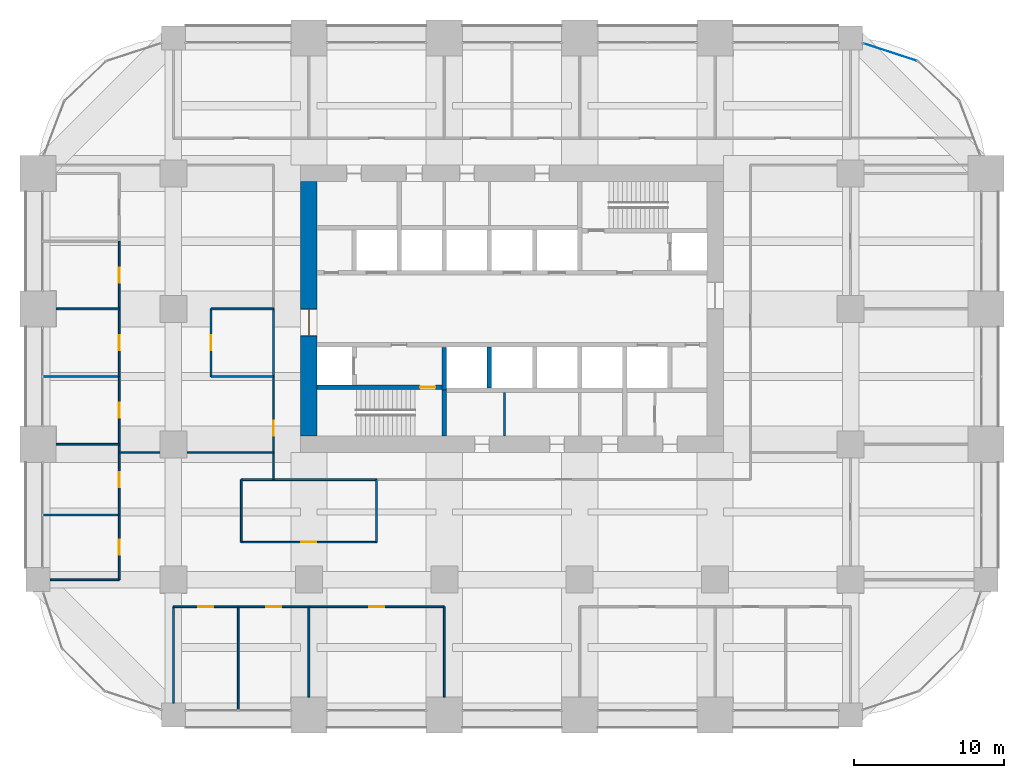
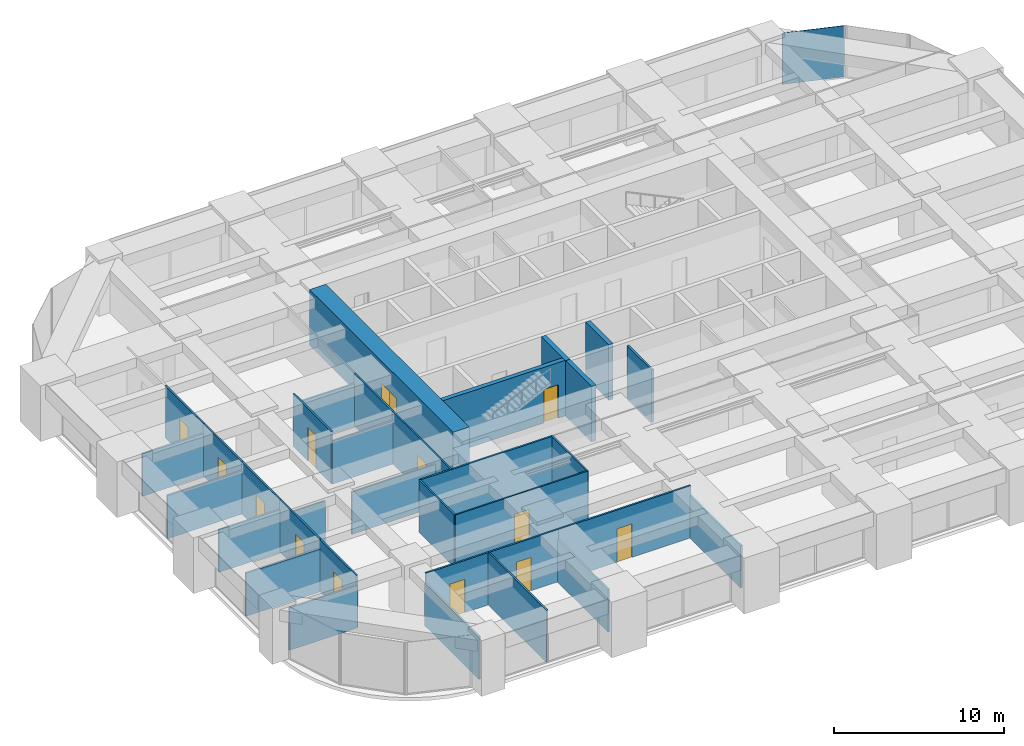
# One storey, part 38 of 43: 34 walls, 13 doors, 1 plate, 13 openings, 1 element without a shape of its own.
"""IFC4 building model written with IfcOpenShell, lengths in metres."""

from ifc_helpers import new_model, si_unit, direction, frame, frame_2d, origin, origin_2d, place, context, subcontext, project, spatial, rectangle, extrude, material, layer, layer_set, type_object, element, fill, aggregate, save


model = new_model("IFC4")

# Units and contexts
model_context = context("Model", 3, precision=1e-05, world=origin(), true_north=direction((0.0, 1.0)))
body_context = subcontext(model_context, "Body", "Model", "MODEL_VIEW")
ifc_project = project(units=[si_unit("LENGTHUNIT", "METRE"), si_unit("AREAUNIT", "SQUARE_METRE"), si_unit("VOLUMEUNIT", "CUBIC_METRE"), si_unit("PLANEANGLEUNIT", "RADIAN"), si_unit("MASSUNIT", "GRAM", prefix="KILO")], contexts=[model_context])

# Site, building, storey
site_placement = place(None, origin())
site = spatial("IfcSite", under=ifc_project, at=site_placement, CompositionType="ELEMENT")
building_placement = place(site_placement, origin())
building = spatial("IfcBuilding", under=site, at=building_placement, Name="Zorevar Civic Tower", CompositionType="ELEMENT")
storey_placement = place(building_placement, frame((0.0, 0.0, 145.0)))
storey = spatial("IfcBuildingStorey", under=building, at=storey_placement, Name="L35", CompositionType="ELEMENT", Elevation=145.0)

# Curtain wall, plate
ifc_material_1 = material(Name="Dark grey solar-control glass in black aluminium frame", Category="aluminium")
curtain_wall_type = type_object("IfcCurtainWallType", Name="Curtain wall CW3 mid zone", PredefinedType="NOTDEFINED", material=ifc_material_1)
curtain_wall_placement = place(storey_placement, origin())
curtain_wall = element("IfcCurtainWall", 1, at=curtain_wall_placement, inside=storey, type_object=curtain_wall_type, Name="CW3 L35", PredefinedType="NOTDEFINED")
ifc_material_2 = material(Name="Dark grey solar-control glass", Category="glass")
ifc_layer_1 = layer(ifc_material_2, 0.030029296875)
ifc_layer_set_1 = layer_set([ifc_layer_1], Name="CW3 panel 30")
plate_type = type_object("IfcPlateType", Name="CW3 panel 30", PredefinedType="CURTAIN_PANEL", material=ifc_layer_set_1)
plate_placement = place(storey_placement, frame((56.63232421875, 44.065185546875, 0.06005859375), z_axis=(0.0, 0.0, 1.0), x_axis=(-0.950650706548, 0.310263169163, 0.0)))
plate = element("IfcPlate", 2, at=plate_placement, type_object=plate_type, Name="CW3 panel 1.1", PredefinedType="CURTAIN_PANEL", context=body_context, shape_type="SweptSolid", body=[
    extrude(rectangle(XDim=3.734619140625, YDim=0.030029296875, at=origin_2d()), origin(), (0.0, 0.0, 1.0), 3.68994140625),
])
aggregate(curtain_wall, [plate])

# Wall, opening, door
ifc_material_3 = material(Name="Concrete C50/60", Category="concrete")
ifc_layer_2 = layer(ifc_material_3, 1.10009765625)
ifc_layer_set_2 = layer_set([ifc_layer_2], Name="Core wall 1100")
wall_type_1 = type_object("IfcWallType", Name="Core wall 1100", PredefinedType="SHEAR", material=ifc_layer_set_2)
wall_1_placement = place(storey_placement, frame((18.0, 35.449951171875, 0.0), z_axis=(0.0, 0.0, 1.0), x_axis=(0.0, -1.0, 0.0)))
wall_1 = element("IfcWall", 3, at=wall_1_placement, inside=storey, type_object=wall_type_1, Name="Core wall W L35", PredefinedType="SHEAR", context=body_context, shape_type="SweptSolid", body=[
    extrude(rectangle(XDim=16.89990234375, YDim=1.10009765625, at=frame_2d((8.449951171875, 0.0))), origin(), (0.0, 0.0, 1.0), 4.0),
])
opening_1_placement = place(wall_1_placement, frame((8.449951171875, 0.0, 0.0)))
opening_1 = element("IfcOpeningElement", 4, at=opening_1_placement, cuts=wall_1, Name="Opening L35.01", PredefinedType="OPENING", context=body_context, shape_type="SweptSolid", body=[
    extrude(rectangle(XDim=1.800048828125, YDim=2.39990234375, at=frame_2d((0.89990234375, 1.199951171875))), frame((0.0, 0.56005859375, 0.0), z_axis=(0.0, -1.0, 0.0), x_axis=(1.0, 0.0, 0.0)), (0.0, 0.0, 1.0), 1.1201171875),
])
ifc_material_4 = material(Name="Steel door set", Category="steel")
door_type_1 = type_object("IfcDoorType", Name="Fire door FD2 1800x2400", OperationType="DOUBLE_DOOR_DOUBLE_SWING", PredefinedType="DOOR", material=ifc_material_4)
door_1_placement = place(opening_1_placement, origin())
door_1 = element("IfcDoor", 5, at=door_1_placement, inside=storey, type_object=door_type_1, Name="Door L35 00", OperationType="DOUBLE_DOOR_DOUBLE_SWING", OverallHeight=2.39990234375, OverallWidth=1.800048828125, PredefinedType="DOOR", context=body_context, shape_type="SweptSolid", body=[
    extrude(rectangle(XDim=1.800048828125, YDim=2.39990234375, at=frame_2d((0.89990234375, 1.199951171875))), frame((0.0, 0.030029296875, 0.0), z_axis=(0.0, -1.0, 0.0), x_axis=(1.0, 0.0, 0.0)), (0.0, 0.0, 1.0), 0.06005859375),
    extrude(rectangle(XDim=0.04, YDim=2.39990234375, at=frame_2d((0.02001953125, 1.199951171875))), frame((0.0, 0.5498046875, 0.0), z_axis=(0.0, -1.0, 0.0), x_axis=(1.0, 0.0, 0.0)), (0.0, 0.0, 1.0), 1.099609375),
    extrude(rectangle(XDim=0.04, YDim=2.39990234375, at=frame_2d((1.780029296875, 1.199951171875))), frame((0.0, 0.5498046875, 0.0), z_axis=(0.0, -1.0, 0.0), x_axis=(1.0, 0.0, 0.0)), (0.0, 0.0, 1.0), 1.099609375),
    extrude(rectangle(XDim=1.800048828125, YDim=0.04, at=frame_2d((0.89990234375, 2.3798828125))), frame((0.0, 0.5498046875, 0.0), z_axis=(0.0, -1.0, 0.0), x_axis=(1.0, 0.0, 0.0)), (0.0, 0.0, 1.0), 1.099609375),
])
fill(opening_1, door_1)

ifc_material_5 = material(Name="Laminated glass in black aluminium frame", Category="aluminium")
ifc_layer_3 = layer(ifc_material_5, 0.10009765625)
ifc_layer_set_3 = layer_set([ifc_layer_3], Name="Glazed partition 100")
wall_type_2 = type_object("IfcWallType", Name="Glazed partition 100", PredefinedType="PARTITIONING", material=ifc_layer_set_3)
wall_2_placement = place(storey_placement, frame((13.5, 11.5, 0.0), z_axis=(0.0, 0.0, 1.0), x_axis=(1.0, 0.0, 0.0)))
wall_2 = element("IfcWall", 6, at=wall_2_placement, inside=storey, type_object=wall_type_2, Name="Glazed partition 100 L35", PredefinedType="PARTITIONING", context=body_context, shape_type="SweptSolid", body=[
    extrude(rectangle(XDim=9.0, YDim=0.10009765625, at=frame_2d((4.5, 0.0))), origin(), (0.0, 0.0, 1.0), 3.75),
])
opening_2_placement = place(wall_2_placement, frame((4.0, 0.0, 0.0)))
opening_2 = element("IfcOpeningElement", 7, at=opening_2_placement, cuts=wall_2, Name="Opening L35.23", PredefinedType="OPENING", context=body_context, shape_type="SweptSolid", body=[
    extrude(rectangle(XDim=1.0, YDim=2.39990234375, at=frame_2d((0.5, 1.199951171875))), frame((0.0, 0.06005859375, 0.0), z_axis=(0.0, -1.0, 0.0), x_axis=(1.0, 0.0, 0.0)), (0.0, 0.0, 1.0), 0.1201171875),
])
ifc_material_6 = material(Name="Timber door set", Category="wood")
door_type_2 = type_object("IfcDoorType", Name="Glazed door GD1 1000x2400", OperationType="SINGLE_SWING_LEFT", PredefinedType="DOOR", material=ifc_material_6)
door_2_placement = place(opening_2_placement, origin())
door_2 = element("IfcDoor", 8, at=door_2_placement, inside=storey, type_object=door_type_2, Name="Door L35 D1", OperationType="SINGLE_SWING_LEFT", OverallHeight=2.39990234375, OverallWidth=1.0, PredefinedType="DOOR", context=body_context, shape_type="SweptSolid", body=[
    extrude(rectangle(XDim=1.0, YDim=2.39990234375, at=frame_2d((0.5, 1.199951171875))), frame((0.0, 0.02001953125, 0.0), z_axis=(0.0, -1.0, 0.0), x_axis=(1.0, 0.0, 0.0)), (0.0, 0.0, 1.0), 0.0400390625),
])
fill(opening_2, door_2)

# Walls
wall_3_placement = place(storey_placement, frame((5.389892578125, 17.449951171875, 0.0), z_axis=(0.0, 0.0, 1.0), x_axis=(1.0, 0.0, 0.0)))
element("IfcWall", 9, at=wall_3_placement, inside=storey, type_object=wall_type_2, Name="Glazed partition 100 L35", PredefinedType="PARTITIONING", context=body_context, shape_type="SweptSolid", body=[
    extrude(rectangle(XDim=2.710205078125, YDim=0.10009765625, at=frame_2d((1.35498046875, 0.0))), origin(), (0.0, 0.0, 1.0), 3.050048828125),
])
wall_4_placement = place(storey_placement, frame((9.89990234375, 17.449951171875, 0.0), z_axis=(0.0, 0.0, 1.0), x_axis=(1.0, 0.0, 0.0)))
element("IfcWall", 10, at=wall_4_placement, inside=storey, type_object=wall_type_2, Name="Glazed partition 100 L35", PredefinedType="PARTITIONING", context=body_context, shape_type="SweptSolid", body=[
    extrude(rectangle(XDim=5.75, YDim=0.10009765625, at=frame_2d((2.875, 0.0))), origin(), (0.0, 0.0, 1.0), 3.050048828125),
])

# Wall, opening, door
wall_5_placement = place(storey_placement, frame((15.64990234375, 15.64990234375, 0.0), z_axis=(0.0, 0.0, 1.0), x_axis=(0.0, 1.0, 0.0)))
wall_5 = element("IfcWall", 11, at=wall_5_placement, inside=storey, type_object=wall_type_2, Name="Glazed partition 100 L35", PredefinedType="PARTITIONING", context=body_context, shape_type="SweptSolid", body=[
    extrude(rectangle(XDim=6.85009765625, YDim=0.10009765625, at=frame_2d((3.425048828125, 0.0))), origin(), (0.0, 0.0, 1.0), 3.75),
])
opening_3_placement = place(wall_5_placement, frame((2.925048828125, 0.0, 0.0)))
opening_3 = element("IfcOpeningElement", 12, at=opening_3_placement, cuts=wall_5, Name="Opening L35.39", PredefinedType="OPENING", context=body_context, shape_type="SweptSolid", body=[
    extrude(rectangle(XDim=1.0, YDim=2.39990234375, at=frame_2d((0.5, 1.199951171875))), frame((0.0, 0.06005859375, 0.0), z_axis=(0.0, -1.0, 0.0), x_axis=(1.0, 0.0, 0.0)), (0.0, 0.0, 1.0), 0.1201171875),
])
door_3_placement = place(opening_3_placement, origin())
door_3 = element("IfcDoor", 13, at=door_3_placement, inside=storey, type_object=door_type_2, Name="Door L35 D1", OperationType="SINGLE_SWING_RIGHT", OverallHeight=2.39990234375, OverallWidth=1.0, PredefinedType="DOOR", context=body_context, shape_type="SweptSolid", body=[
    extrude(rectangle(XDim=1.0, YDim=2.39990234375, at=frame_2d((0.5, 1.199951171875))), frame((0.0, 0.02001953125, 0.0), z_axis=(0.0, -1.0, 0.0), x_axis=(1.0, 0.0, 0.0)), (0.0, 0.0, 1.0), 0.0400390625),
])
fill(opening_3, door_3)

ifc_material_7 = material(Name="Concrete C40/50", Category="concrete")
ifc_layer_4 = layer(ifc_material_7, 0.300048828125)
ifc_layer_set_4 = layer_set([ifc_layer_4], Name="Inner core wall 300")
wall_type_3 = type_object("IfcWallType", Name="Inner core wall 300", PredefinedType="SHEAR", material=ifc_layer_set_4)
wall_6_placement = place(storey_placement, frame((18.550048828125, 21.800048828125, 0.0), z_axis=(0.0, 0.0, 1.0), x_axis=(1.0, 0.0, 0.0)))
wall_6 = element("IfcWall", 14, at=wall_6_placement, inside=storey, type_object=wall_type_3, Name="Inner core wall S00 L35", PredefinedType="SHEAR", context=body_context, shape_type="SweptSolid", body=[
    extrude(rectangle(XDim=8.300048828125, YDim=0.300048828125, at=frame_2d((4.14990234375, 0.0))), origin(), (0.0, 0.0, 1.0), 4.0),
])
opening_4_placement = place(wall_6_placement, frame((6.85009765625, 0.0, 0.0)))
opening_4 = element("IfcOpeningElement", 15, at=opening_4_placement, cuts=wall_6, Name="Opening L35.11", PredefinedType="OPENING", context=body_context, shape_type="SweptSolid", body=[
    extrude(rectangle(XDim=1.0, YDim=2.39990234375, at=frame_2d((0.5, 1.199951171875))), frame((0.0, 0.159912109375, 0.0), z_axis=(0.0, -1.0, 0.0), x_axis=(1.0, 0.0, 0.0)), (0.0, 0.0, 1.0), 0.320068359375),
])
ifc_material_8 = material(Name="Steel door set", Category="steel")
door_type_3 = type_object("IfcDoorType", Name="Fire door FD1 1000x2400", OperationType="SINGLE_SWING_LEFT", PredefinedType="DOOR", material=ifc_material_8)
door_4_placement = place(opening_4_placement, origin())
door_4 = element("IfcDoor", 16, at=door_4_placement, inside=storey, type_object=door_type_3, Name="Door L35 10", OperationType="SINGLE_SWING_RIGHT", OverallHeight=2.39990234375, OverallWidth=1.0, PredefinedType="DOOR", context=body_context, shape_type="SweptSolid", body=[
    extrude(rectangle(XDim=1.0, YDim=2.39990234375, at=frame_2d((0.5, 1.199951171875))), frame((0.0, 0.030029296875, 0.0), z_axis=(0.0, -1.0, 0.0), x_axis=(1.0, 0.0, 0.0)), (0.0, 0.0, 1.0), 0.06005859375),
])
fill(opening_4, door_4)

# Walls
wall_7_placement = place(storey_placement, frame((27.0, 18.550048828125, 0.0), z_axis=(0.0, 0.0, 1.0), x_axis=(0.0, 1.0, 0.0)))
element("IfcWall", 17, at=wall_7_placement, inside=storey, type_object=wall_type_3, Name="Inner core wall S01 L35", PredefinedType="SHEAR", context=body_context, shape_type="SweptSolid", body=[
    extrude(rectangle(XDim=3.050048828125, YDim=0.300048828125, at=frame_2d((1.52490234375, 0.0))), origin(), (0.0, 0.0, 1.0), 4.0),
])
wall_8_placement = place(storey_placement, frame((30.0, 21.75, 0.0), z_axis=(0.0, 0.0, 1.0), x_axis=(0.0, 1.0, 0.0)))
element("IfcWall", 18, at=wall_8_placement, inside=storey, type_object=wall_type_3, Name="Inner core wall S05 L35", PredefinedType="SHEAR", context=body_context, shape_type="SweptSolid", body=[
    extrude(rectangle(XDim=2.699951171875, YDim=0.300048828125, at=frame_2d((1.35009765625, 0.0))), origin(), (0.0, 0.0, 1.0), 4.0),
])
wall_9_placement = place(storey_placement, frame((27.0, 21.60009765625, 0.0), z_axis=(0.0, 0.0, 1.0), x_axis=(0.0, 1.0, 0.0)))
element("IfcWall", 19, at=wall_9_placement, inside=storey, type_object=wall_type_3, Name="Inner core wall S10 L35", PredefinedType="SHEAR", context=body_context, shape_type="SweptSolid", body=[
    extrude(rectangle(XDim=2.849853515625, YDim=0.300048828125, at=frame_2d((1.4248046875, 0.0))), origin(), (0.0, 0.0, 1.0), 4.0),
])

# Wall, opening, door
ifc_material_9 = material(Name="Gypsum board on steel studs", Category="steel")
ifc_layer_5 = layer(ifc_material_9, 0.1201171875)
ifc_layer_set_5 = layer_set([ifc_layer_5], Name="Partition 120")
wall_type_4 = type_object("IfcWallType", Name="Partition 120", PredefinedType="PARTITIONING", material=ifc_layer_set_5)
wall_10_placement = place(storey_placement, frame((9.0, 7.199951171875, 0.0), z_axis=(0.0, 0.0, 1.0), x_axis=(1.0, 0.0, 0.0)))
wall_10 = element("IfcWall", 20, at=wall_10_placement, inside=storey, type_object=wall_type_4, Name="Partition 120 L35", PredefinedType="PARTITIONING", context=body_context, shape_type="SweptSolid", body=[
    extrude(rectangle(XDim=4.300048828125, YDim=0.1201171875, at=frame_2d((2.14990234375, 0.0))), origin(), (0.0, 0.0, 1.0), 3.75),
])
opening_5_placement = place(wall_10_placement, frame((1.64990234375, 0.0, 0.0)))
opening_5 = element("IfcOpeningElement", 21, at=opening_5_placement, cuts=wall_10, Name="Opening L35.17", PredefinedType="OPENING", context=body_context, shape_type="SweptSolid", body=[
    extrude(rectangle(XDim=1.0, YDim=2.39990234375, at=frame_2d((0.5, 1.199951171875))), frame((0.0, 0.070068359375, 0.0), z_axis=(0.0, -1.0, 0.0), x_axis=(1.0, 0.0, 0.0)), (0.0, 0.0, 1.0), 0.14013671875),
])
ifc_material_10 = material(Name="Timber door set", Category="wood")
door_type_4 = type_object("IfcDoorType", Name="Door D1 1000x2400", OperationType="SINGLE_SWING_LEFT", PredefinedType="DOOR", material=ifc_material_10)
door_5_placement = place(opening_5_placement, origin())
door_5 = element("IfcDoor", 22, at=door_5_placement, inside=storey, type_object=door_type_4, Name="Door L35 D1", OperationType="SINGLE_SWING_RIGHT", OverallHeight=2.39990234375, OverallWidth=1.0, PredefinedType="DOOR", context=body_context, shape_type="SweptSolid", body=[
    extrude(rectangle(XDim=1.0, YDim=2.39990234375, at=frame_2d((0.5, 1.199951171875))), frame((0.0, 0.02490234375, 0.0), z_axis=(0.0, -1.0, 0.0), x_axis=(1.0, 0.0, 0.0)), (0.0, 0.0, 1.0), 0.050048828125),
])
fill(opening_5, door_5)

wall_11_placement = place(storey_placement, frame((13.300048828125, 7.199951171875, 0.0), z_axis=(0.0, 0.0, 1.0), x_axis=(1.0, 0.0, 0.0)))
wall_11 = element("IfcWall", 23, at=wall_11_placement, inside=storey, type_object=wall_type_4, Name="Partition 120 L35", PredefinedType="PARTITIONING", context=body_context, shape_type="SweptSolid", body=[
    extrude(rectangle(XDim=4.699951171875, YDim=0.1201171875, at=frame_2d((2.35009765625, 0.0))), origin(), (0.0, 0.0, 1.0), 3.75),
])
opening_6_placement = place(wall_11_placement, frame((1.85009765625, 0.0, 0.0)))
opening_6 = element("IfcOpeningElement", 24, at=opening_6_placement, cuts=wall_11, Name="Opening L35.18", PredefinedType="OPENING", context=body_context, shape_type="SweptSolid", body=[
    extrude(rectangle(XDim=1.0, YDim=2.39990234375, at=frame_2d((0.5, 1.199951171875))), frame((0.0, 0.070068359375, 0.0), z_axis=(0.0, -1.0, 0.0), x_axis=(1.0, 0.0, 0.0)), (0.0, 0.0, 1.0), 0.14013671875),
])
door_6_placement = place(opening_6_placement, origin())
door_6 = element("IfcDoor", 25, at=door_6_placement, inside=storey, type_object=door_type_4, Name="Door L35 D1", OperationType="SINGLE_SWING_RIGHT", OverallHeight=2.39990234375, OverallWidth=1.0, PredefinedType="DOOR", context=body_context, shape_type="SweptSolid", body=[
    extrude(rectangle(XDim=1.0, YDim=2.39990234375, at=frame_2d((0.5, 1.199951171875))), frame((0.0, 0.02490234375, 0.0), z_axis=(0.0, -1.0, 0.0), x_axis=(1.0, 0.0, 0.0)), (0.0, 0.0, 1.0), 0.050048828125),
])
fill(opening_6, door_6)

wall_12_placement = place(storey_placement, frame((18.0, 7.199951171875, 0.0), z_axis=(0.0, 0.0, 1.0), x_axis=(1.0, 0.0, 0.0)))
wall_12 = element("IfcWall", 26, at=wall_12_placement, inside=storey, type_object=wall_type_4, Name="Partition 120 L35", PredefinedType="PARTITIONING", context=body_context, shape_type="SweptSolid", body=[
    extrude(rectangle(XDim=9.0, YDim=0.1201171875, at=frame_2d((4.5, 0.0))), origin(), (0.0, 0.0, 1.0), 3.75),
])
opening_7_placement = place(wall_12_placement, frame((4.0, 0.0, 0.0)))
opening_7 = element("IfcOpeningElement", 27, at=opening_7_placement, cuts=wall_12, Name="Opening L35.19", PredefinedType="OPENING", context=body_context, shape_type="SweptSolid", body=[
    extrude(rectangle(XDim=1.0, YDim=2.39990234375, at=frame_2d((0.5, 1.199951171875))), frame((0.0, 0.070068359375, 0.0), z_axis=(0.0, -1.0, 0.0), x_axis=(1.0, 0.0, 0.0)), (0.0, 0.0, 1.0), 0.14013671875),
])
door_7_placement = place(opening_7_placement, origin())
door_7 = element("IfcDoor", 28, at=door_7_placement, inside=storey, type_object=door_type_4, Name="Door L35 D1", OperationType="SINGLE_SWING_RIGHT", OverallHeight=2.39990234375, OverallWidth=1.0, PredefinedType="DOOR", context=body_context, shape_type="SweptSolid", body=[
    extrude(rectangle(XDim=1.0, YDim=2.39990234375, at=frame_2d((0.5, 1.199951171875))), frame((0.0, 0.02490234375, 0.0), z_axis=(0.0, -1.0, 0.0), x_axis=(1.0, 0.0, 0.0)), (0.0, 0.0, 1.0), 0.050048828125),
])
fill(opening_7, door_7)

# Walls
wall_13_placement = place(storey_placement, frame((0.800048828125, 9.0, 0.0), z_axis=(0.0, 0.0, 1.0), x_axis=(1.0, 0.0, 0.0)))
element("IfcWall", 29, at=wall_13_placement, inside=storey, type_object=wall_type_4, Name="Partition 120 L35", PredefinedType="PARTITIONING", context=body_context, shape_type="SweptSolid", body=[
    extrude(rectangle(XDim=4.599853515625, YDim=0.1201171875, at=frame_2d((2.2998046875, 0.0))), origin(), (0.0, 0.0, 1.0), 3.050048828125),
])
wall_14_placement = place(storey_placement, frame((0.31005859375, 13.300048828125, 0.0), z_axis=(0.0, 0.0, 1.0), x_axis=(1.0, 0.0, 0.0)))
element("IfcWall", 30, at=wall_14_placement, inside=storey, type_object=wall_type_4, Name="Partition 120 L35", PredefinedType="PARTITIONING", context=body_context, shape_type="SweptSolid", body=[
    extrude(rectangle(XDim=5.08984375, YDim=0.1201171875, at=frame_2d((2.544921875, 0.0))), origin(), (0.0, 0.0, 1.0), 3.10009765625),
])
wall_15_placement = place(storey_placement, frame((13.5, 15.64990234375, 0.0), z_axis=(0.0, 0.0, 1.0), x_axis=(1.0, 0.0, 0.0)))
element("IfcWall", 31, at=wall_15_placement, inside=storey, type_object=wall_type_4, Name="Partition 120 L35", PredefinedType="PARTITIONING", context=body_context, shape_type="SweptSolid", body=[
    extrude(rectangle(XDim=9.0, YDim=0.1201171875, at=frame_2d((4.5, 0.0))), origin(), (0.0, 0.0, 1.0), 3.75),
])
wall_16_placement = place(storey_placement, frame((1.199951171875, 18.0, 0.0), z_axis=(0.0, 0.0, 1.0), x_axis=(1.0, 0.0, 0.0)))
element("IfcWall", 32, at=wall_16_placement, inside=storey, type_object=wall_type_4, Name="Partition 120 L35", PredefinedType="PARTITIONING", context=body_context, shape_type="SweptSolid", body=[
    extrude(rectangle(XDim=4.199951171875, YDim=0.1201171875, at=frame_2d((2.10009765625, 0.0))), origin(), (0.0, 0.0, 1.0), 3.050048828125),
])
wall_17_placement = place(storey_placement, frame((0.31005859375, 22.5, 0.0), z_axis=(0.0, 0.0, 1.0), x_axis=(1.0, 0.0, 0.0)))
element("IfcWall", 33, at=wall_17_placement, inside=storey, type_object=wall_type_4, Name="Partition 120 L35", PredefinedType="PARTITIONING", context=body_context, shape_type="SweptSolid", body=[
    extrude(rectangle(XDim=5.08984375, YDim=0.1201171875, at=frame_2d((2.544921875, 0.0))), origin(), (0.0, 0.0, 1.0), 3.10009765625),
])
wall_18_placement = place(storey_placement, frame((11.5, 22.5, 0.0), z_axis=(0.0, 0.0, 1.0), x_axis=(1.0, 0.0, 0.0)))
element("IfcWall", 34, at=wall_18_placement, inside=storey, type_object=wall_type_4, Name="Partition 120 L35", PredefinedType="PARTITIONING", context=body_context, shape_type="SweptSolid", body=[
    extrude(rectangle(XDim=4.14990234375, YDim=0.1201171875, at=frame_2d((2.074951171875, 0.0))), origin(), (0.0, 0.0, 1.0), 3.10009765625),
])
wall_19_placement = place(storey_placement, frame((1.199951171875, 27.0, 0.0), z_axis=(0.0, 0.0, 1.0), x_axis=(1.0, 0.0, 0.0)))
element("IfcWall", 35, at=wall_19_placement, inside=storey, type_object=wall_type_4, Name="Partition 120 L35", PredefinedType="PARTITIONING", context=body_context, shape_type="SweptSolid", body=[
    extrude(rectangle(XDim=4.199951171875, YDim=0.1201171875, at=frame_2d((2.10009765625, 0.0))), origin(), (0.0, 0.0, 1.0), 3.050048828125),
])
wall_20_placement = place(storey_placement, frame((11.5, 27.0, 0.0), z_axis=(0.0, 0.0, 1.0), x_axis=(1.0, 0.0, 0.0)))
element("IfcWall", 36, at=wall_20_placement, inside=storey, type_object=wall_type_4, Name="Partition 120 L35", PredefinedType="PARTITIONING", context=body_context, shape_type="SweptSolid", body=[
    extrude(rectangle(XDim=4.14990234375, YDim=0.1201171875, at=frame_2d((2.074951171875, 0.0))), origin(), (0.0, 0.0, 1.0), 3.050048828125),
])

# Wall, opening, door
wall_21_placement = place(storey_placement, frame((5.39990234375, 9.0, 0.0), z_axis=(0.0, 0.0, 1.0), x_axis=(0.0, 1.0, 0.0)))
wall_21 = element("IfcWall", 37, at=wall_21_placement, inside=storey, type_object=wall_type_4, Name="Partition 120 L35", PredefinedType="PARTITIONING", context=body_context, shape_type="SweptSolid", body=[
    extrude(rectangle(XDim=4.300048828125, YDim=0.1201171875, at=frame_2d((2.14990234375, 0.0))), origin(), (0.0, 0.0, 1.0), 3.75),
])
opening_8_placement = place(wall_21_placement, frame((1.64990234375, 0.0, 0.0)))
opening_8 = element("IfcOpeningElement", 38, at=opening_8_placement, cuts=wall_21, Name="Opening L35.32", PredefinedType="OPENING", context=body_context, shape_type="SweptSolid", body=[
    extrude(rectangle(XDim=1.0, YDim=2.39990234375, at=frame_2d((0.5, 1.199951171875))), frame((0.0, 0.070068359375, 0.0), z_axis=(0.0, -1.0, 0.0), x_axis=(1.0, 0.0, 0.0)), (0.0, 0.0, 1.0), 0.14013671875),
])
door_8_placement = place(opening_8_placement, origin())
door_8 = element("IfcDoor", 39, at=door_8_placement, inside=storey, type_object=door_type_4, Name="Door L35 D1", OperationType="SINGLE_SWING_RIGHT", OverallHeight=2.39990234375, OverallWidth=1.0, PredefinedType="DOOR", context=body_context, shape_type="SweptSolid", body=[
    extrude(rectangle(XDim=1.0, YDim=2.39990234375, at=frame_2d((0.5, 1.199951171875))), frame((0.0, 0.02490234375, 0.0), z_axis=(0.0, -1.0, 0.0), x_axis=(1.0, 0.0, 0.0)), (0.0, 0.0, 1.0), 0.050048828125),
])
fill(opening_8, door_8)

wall_22_placement = place(storey_placement, frame((5.39990234375, 13.300048828125, 0.0), z_axis=(0.0, 0.0, 1.0), x_axis=(0.0, 1.0, 0.0)))
wall_22 = element("IfcWall", 40, at=wall_22_placement, inside=storey, type_object=wall_type_4, Name="Partition 120 L35", PredefinedType="PARTITIONING", context=body_context, shape_type="SweptSolid", body=[
    extrude(rectangle(XDim=4.699951171875, YDim=0.1201171875, at=frame_2d((2.35009765625, 0.0))), origin(), (0.0, 0.0, 1.0), 3.75),
])
opening_9_placement = place(wall_22_placement, frame((1.85009765625, 0.0, 0.0)))
opening_9 = element("IfcOpeningElement", 41, at=opening_9_placement, cuts=wall_22, Name="Opening L35.33", PredefinedType="OPENING", context=body_context, shape_type="SweptSolid", body=[
    extrude(rectangle(XDim=1.0, YDim=2.39990234375, at=frame_2d((0.5, 1.199951171875))), frame((0.0, 0.070068359375, 0.0), z_axis=(0.0, -1.0, 0.0), x_axis=(1.0, 0.0, 0.0)), (0.0, 0.0, 1.0), 0.14013671875),
])
door_9_placement = place(opening_9_placement, origin())
door_9 = element("IfcDoor", 42, at=door_9_placement, inside=storey, type_object=door_type_4, Name="Door L35 D1", OperationType="SINGLE_SWING_RIGHT", OverallHeight=2.39990234375, OverallWidth=1.0, PredefinedType="DOOR", context=body_context, shape_type="SweptSolid", body=[
    extrude(rectangle(XDim=1.0, YDim=2.39990234375, at=frame_2d((0.5, 1.199951171875))), frame((0.0, 0.02490234375, 0.0), z_axis=(0.0, -1.0, 0.0), x_axis=(1.0, 0.0, 0.0)), (0.0, 0.0, 1.0), 0.050048828125),
])
fill(opening_9, door_9)

wall_23_placement = place(storey_placement, frame((5.39990234375, 18.0, 0.0), z_axis=(0.0, 0.0, 1.0), x_axis=(0.0, 1.0, 0.0)))
wall_23 = element("IfcWall", 43, at=wall_23_placement, inside=storey, type_object=wall_type_4, Name="Partition 120 L35", PredefinedType="PARTITIONING", context=body_context, shape_type="SweptSolid", body=[
    extrude(rectangle(XDim=4.5, YDim=0.1201171875, at=frame_2d((2.25, 0.0))), origin(), (0.0, 0.0, 1.0), 3.75),
])
opening_10_placement = place(wall_23_placement, frame((1.75, 0.0, 0.0)))
opening_10 = element("IfcOpeningElement", 44, at=opening_10_placement, cuts=wall_23, Name="Opening L35.34", PredefinedType="OPENING", context=body_context, shape_type="SweptSolid", body=[
    extrude(rectangle(XDim=1.0, YDim=2.39990234375, at=frame_2d((0.5, 1.199951171875))), frame((0.0, 0.070068359375, 0.0), z_axis=(0.0, -1.0, 0.0), x_axis=(1.0, 0.0, 0.0)), (0.0, 0.0, 1.0), 0.14013671875),
])
door_10_placement = place(opening_10_placement, origin())
door_10 = element("IfcDoor", 45, at=door_10_placement, inside=storey, type_object=door_type_4, Name="Door L35 D1", OperationType="SINGLE_SWING_LEFT", OverallHeight=2.39990234375, OverallWidth=1.0, PredefinedType="DOOR", context=body_context, shape_type="SweptSolid", body=[
    extrude(rectangle(XDim=1.0, YDim=2.39990234375, at=frame_2d((0.5, 1.199951171875))), frame((0.0, 0.02490234375, 0.0), z_axis=(0.0, -1.0, 0.0), x_axis=(1.0, 0.0, 0.0)), (0.0, 0.0, 1.0), 0.050048828125),
])
fill(opening_10, door_10)

wall_24_placement = place(storey_placement, frame((5.39990234375, 22.5, 0.0), z_axis=(0.0, 0.0, 1.0), x_axis=(0.0, 1.0, 0.0)))
wall_24 = element("IfcWall", 46, at=wall_24_placement, inside=storey, type_object=wall_type_4, Name="Partition 120 L35", PredefinedType="PARTITIONING", context=body_context, shape_type="SweptSolid", body=[
    extrude(rectangle(XDim=4.5, YDim=0.1201171875, at=frame_2d((2.25, 0.0))), origin(), (0.0, 0.0, 1.0), 3.75),
])
opening_11_placement = place(wall_24_placement, frame((1.75, 0.0, 0.0)))
opening_11 = element("IfcOpeningElement", 47, at=opening_11_placement, cuts=wall_24, Name="Opening L35.35", PredefinedType="OPENING", context=body_context, shape_type="SweptSolid", body=[
    extrude(rectangle(XDim=1.0, YDim=2.39990234375, at=frame_2d((0.5, 1.199951171875))), frame((0.0, 0.070068359375, 0.0), z_axis=(0.0, -1.0, 0.0), x_axis=(1.0, 0.0, 0.0)), (0.0, 0.0, 1.0), 0.14013671875),
])
door_11_placement = place(opening_11_placement, origin())
door_11 = element("IfcDoor", 48, at=door_11_placement, inside=storey, type_object=door_type_4, Name="Door L35 D1", OperationType="SINGLE_SWING_LEFT", OverallHeight=2.39990234375, OverallWidth=1.0, PredefinedType="DOOR", context=body_context, shape_type="SweptSolid", body=[
    extrude(rectangle(XDim=1.0, YDim=2.39990234375, at=frame_2d((0.5, 1.199951171875))), frame((0.0, 0.02490234375, 0.0), z_axis=(0.0, -1.0, 0.0), x_axis=(1.0, 0.0, 0.0)), (0.0, 0.0, 1.0), 0.050048828125),
])
fill(opening_11, door_11)

wall_25_placement = place(storey_placement, frame((5.39990234375, 27.0, 0.0), z_axis=(0.0, 0.0, 1.0), x_axis=(0.0, 1.0, 0.0)))
wall_25 = element("IfcWall", 49, at=wall_25_placement, inside=storey, type_object=wall_type_4, Name="Partition 120 L35", PredefinedType="PARTITIONING", context=body_context, shape_type="SweptSolid", body=[
    extrude(rectangle(XDim=4.5, YDim=0.1201171875, at=frame_2d((2.25, 0.0))), origin(), (0.0, 0.0, 1.0), 3.75),
])
opening_12_placement = place(wall_25_placement, frame((1.75, 0.0, 0.0)))
opening_12 = element("IfcOpeningElement", 50, at=opening_12_placement, cuts=wall_25, Name="Opening L35.36", PredefinedType="OPENING", context=body_context, shape_type="SweptSolid", body=[
    extrude(rectangle(XDim=1.0, YDim=2.39990234375, at=frame_2d((0.5, 1.199951171875))), frame((0.0, 0.070068359375, 0.0), z_axis=(0.0, -1.0, 0.0), x_axis=(1.0, 0.0, 0.0)), (0.0, 0.0, 1.0), 0.14013671875),
])
door_12_placement = place(opening_12_placement, origin())
door_12 = element("IfcDoor", 51, at=door_12_placement, inside=storey, type_object=door_type_4, Name="Door L35 D1", OperationType="SINGLE_SWING_RIGHT", OverallHeight=2.39990234375, OverallWidth=1.0, PredefinedType="DOOR", context=body_context, shape_type="SweptSolid", body=[
    extrude(rectangle(XDim=1.0, YDim=2.39990234375, at=frame_2d((0.5, 1.199951171875))), frame((0.0, 0.02490234375, 0.0), z_axis=(0.0, -1.0, 0.0), x_axis=(1.0, 0.0, 0.0)), (0.0, 0.0, 1.0), 0.050048828125),
])
fill(opening_12, door_12)

# Wall
wall_26_placement = place(storey_placement, frame((9.0, 0.800048828125, 0.0), z_axis=(0.0, 0.0, 1.0), x_axis=(0.0, 1.0, 0.0)))
element("IfcWall", 52, at=wall_26_placement, inside=storey, type_object=wall_type_4, Name="Partition 120 L35", PredefinedType="PARTITIONING", context=body_context, shape_type="SweptSolid", body=[
    extrude(rectangle(XDim=6.39990234375, YDim=0.1201171875, at=frame_2d((3.199951171875, 0.0))), origin(), (0.0, 0.0, 1.0), 3.050048828125),
])

# Wall, opening, door
wall_27_placement = place(storey_placement, frame((11.5, 22.5, 0.0), z_axis=(0.0, 0.0, 1.0), x_axis=(0.0, 1.0, 0.0)))
wall_27 = element("IfcWall", 53, at=wall_27_placement, inside=storey, type_object=wall_type_4, Name="Partition 120 L35", PredefinedType="PARTITIONING", context=body_context, shape_type="SweptSolid", body=[
    extrude(rectangle(XDim=4.5, YDim=0.1201171875, at=frame_2d((2.25, 0.0))), origin(), (0.0, 0.0, 1.0), 3.75),
])
opening_13_placement = place(wall_27_placement, frame((1.75, 0.0, 0.0)))
opening_13 = element("IfcOpeningElement", 54, at=opening_13_placement, cuts=wall_27, Name="Opening L35.38", PredefinedType="OPENING", context=body_context, shape_type="SweptSolid", body=[
    extrude(rectangle(XDim=1.0, YDim=2.39990234375, at=frame_2d((0.5, 1.199951171875))), frame((0.0, 0.070068359375, 0.0), z_axis=(0.0, -1.0, 0.0), x_axis=(1.0, 0.0, 0.0)), (0.0, 0.0, 1.0), 0.14013671875),
])
door_13_placement = place(opening_13_placement, origin())
door_13 = element("IfcDoor", 55, at=door_13_placement, inside=storey, type_object=door_type_4, Name="Door L35 D1", OperationType="SINGLE_SWING_RIGHT", OverallHeight=2.39990234375, OverallWidth=1.0, PredefinedType="DOOR", context=body_context, shape_type="SweptSolid", body=[
    extrude(rectangle(XDim=1.0, YDim=2.39990234375, at=frame_2d((0.5, 1.199951171875))), frame((0.0, 0.02490234375, 0.0), z_axis=(0.0, -1.0, 0.0), x_axis=(1.0, 0.0, 0.0)), (0.0, 0.0, 1.0), 0.050048828125),
])
fill(opening_13, door_13)

# Walls
wall_28_placement = place(storey_placement, frame((13.300048828125, 0.31005859375, 0.0), z_axis=(0.0, 0.0, 1.0), x_axis=(0.0, 1.0, 0.0)))
element("IfcWall", 56, at=wall_28_placement, inside=storey, type_object=wall_type_4, Name="Partition 120 L35", PredefinedType="PARTITIONING", context=body_context, shape_type="SweptSolid", body=[
    extrude(rectangle(XDim=6.889892578125, YDim=0.1201171875, at=frame_2d((3.44482421875, 0.0))), origin(), (0.0, 0.0, 1.0), 3.75),
])
wall_29_placement = place(storey_placement, frame((13.5, 11.5, 0.0), z_axis=(0.0, 0.0, 1.0), x_axis=(0.0, 1.0, 0.0)))
element("IfcWall", 57, at=wall_29_placement, inside=storey, type_object=wall_type_4, Name="Partition 120 L35", PredefinedType="PARTITIONING", context=body_context, shape_type="SweptSolid", body=[
    extrude(rectangle(XDim=4.14990234375, YDim=0.1201171875, at=frame_2d((2.074951171875, 0.0))), origin(), (0.0, 0.0, 1.0), 3.75),
])
wall_30_placement = place(storey_placement, frame((15.64990234375, 22.5, 0.0), z_axis=(0.0, 0.0, 1.0), x_axis=(0.0, 1.0, 0.0)))
element("IfcWall", 58, at=wall_30_placement, inside=storey, type_object=wall_type_4, Name="Partition 120 L35", PredefinedType="PARTITIONING", context=body_context, shape_type="SweptSolid", body=[
    extrude(rectangle(XDim=4.5, YDim=0.1201171875, at=frame_2d((2.25, 0.0))), origin(), (0.0, 0.0, 1.0), 3.75),
])
wall_31_placement = place(storey_placement, frame((18.0, 1.199951171875, 0.0), z_axis=(0.0, 0.0, 1.0), x_axis=(0.0, 1.0, 0.0)))
element("IfcWall", 59, at=wall_31_placement, inside=storey, type_object=wall_type_4, Name="Partition 120 L35", PredefinedType="PARTITIONING", context=body_context, shape_type="SweptSolid", body=[
    extrude(rectangle(XDim=6.0, YDim=0.1201171875, at=frame_2d((3.0, 0.0))), origin(), (0.0, 0.0, 1.0), 3.050048828125),
])
wall_32_placement = place(storey_placement, frame((22.5, 11.5, 0.0), z_axis=(0.0, 0.0, 1.0), x_axis=(0.0, 1.0, 0.0)))
element("IfcWall", 60, at=wall_32_placement, inside=storey, type_object=wall_type_4, Name="Partition 120 L35", PredefinedType="PARTITIONING", context=body_context, shape_type="SweptSolid", body=[
    extrude(rectangle(XDim=4.14990234375, YDim=0.1201171875, at=frame_2d((2.074951171875, 0.0))), origin(), (0.0, 0.0, 1.0), 3.75),
])
wall_33_placement = place(storey_placement, frame((27.0, 1.199951171875, 0.0), z_axis=(0.0, 0.0, 1.0), x_axis=(0.0, 1.0, 0.0)))
element("IfcWall", 61, at=wall_33_placement, inside=storey, type_object=wall_type_4, Name="Partition 120 L35", PredefinedType="PARTITIONING", context=body_context, shape_type="SweptSolid", body=[
    extrude(rectangle(XDim=6.0, YDim=0.1201171875, at=frame_2d((3.0, 0.0))), origin(), (0.0, 0.0, 1.0), 3.050048828125),
])
ifc_material_11 = material(Name="Gypsum board on steel studs, moisture resistant", Category="steel")
ifc_layer_6 = layer(ifc_material_11, 0.14990234375)
ifc_layer_set_6 = layer_set([ifc_layer_6], Name="WC partition 150")
wall_type_5 = type_object("IfcWallType", Name="WC partition 150", PredefinedType="PARTITIONING", material=ifc_layer_set_6)
wall_34_placement = place(storey_placement, frame((31.0, 18.550048828125, 0.0), z_axis=(0.0, 0.0, 1.0), x_axis=(0.0, 1.0, 0.0)))
element("IfcWall", 62, at=wall_34_placement, inside=storey, type_object=wall_type_5, Name="WC partition L35", PredefinedType="PARTITIONING", context=body_context, shape_type="SweptSolid", body=[
    extrude(rectangle(XDim=2.89990234375, YDim=0.14990234375, at=frame_2d((1.449951171875, 0.0))), origin(), (0.0, 0.0, 1.0), 3.75),
])

save(model, "model.ifc")
